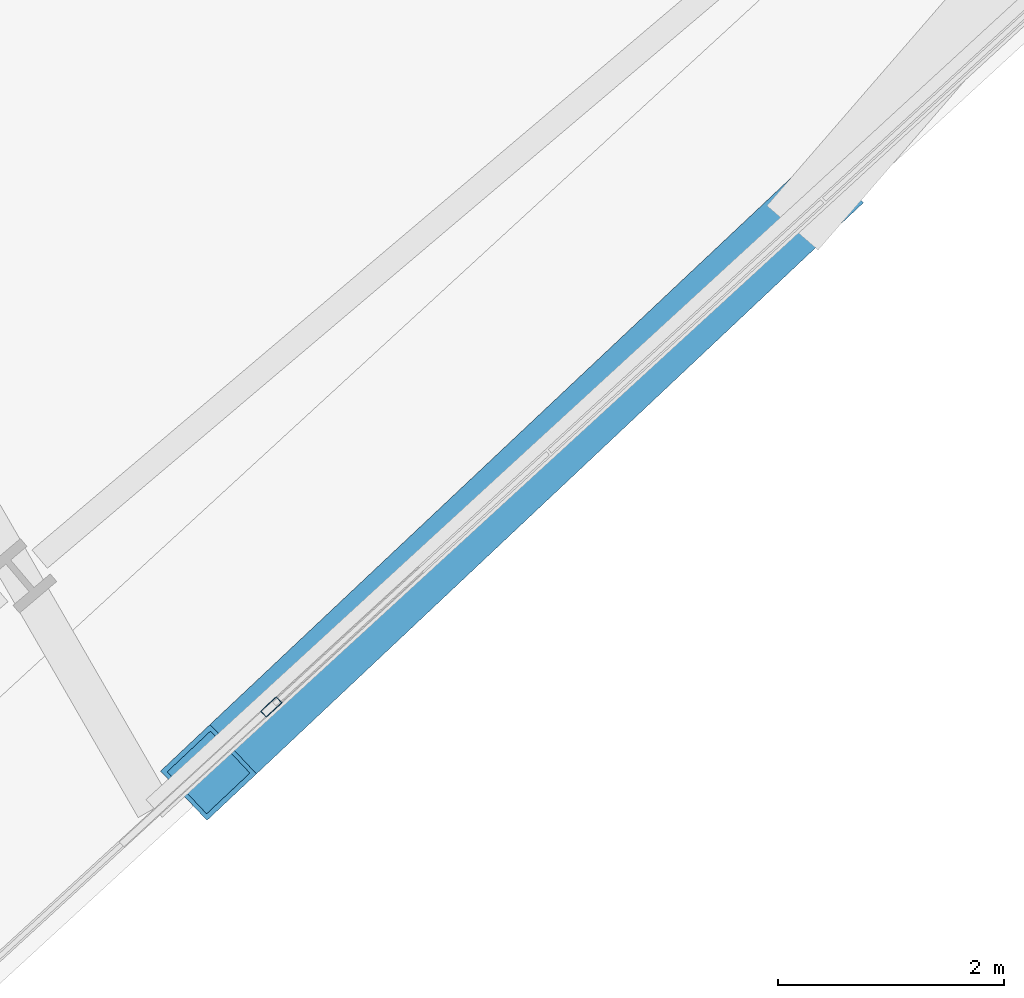
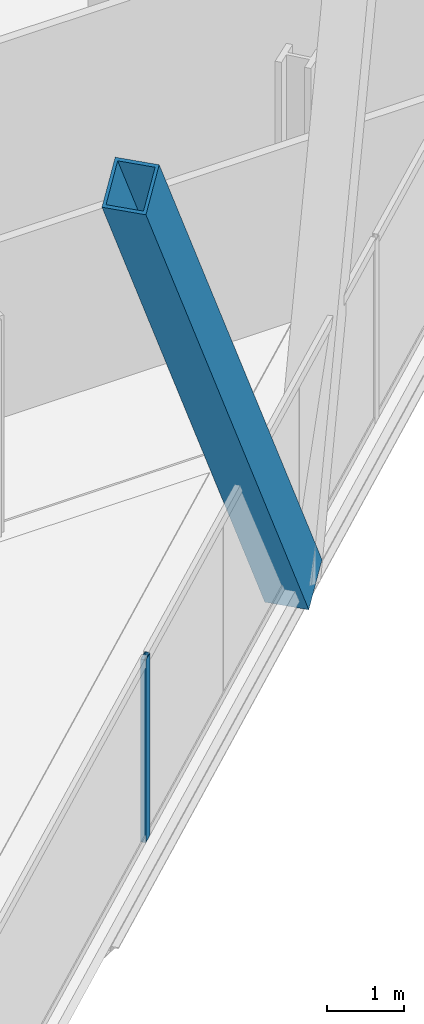
# One storey, part 8 of 32: 2 members, 1 element without a shape of its own.
"""IFC4 building model written with IfcOpenShell, lengths in metres."""

from ifc_helpers import new_model, si_unit, direction, frame, origin, origin_2d, place, context, subcontext, project, spatial, hollow_rectangle, extrude, material, material_profile, profile_set, type_object, element, aggregate, save


model = new_model("IFC4")

# Units and contexts
model_context = context("Model", 3, precision=1e-05, world=origin(), true_north=direction((0.0, 1.0)))
body_context = subcontext(model_context, "Body", "Model", "MODEL_VIEW")
ifc_project = project(units=[si_unit("LENGTHUNIT", "METRE"), si_unit("AREAUNIT", "SQUARE_METRE"), si_unit("VOLUMEUNIT", "CUBIC_METRE"), si_unit("PLANEANGLEUNIT", "RADIAN"), si_unit("MASSUNIT", "GRAM", prefix="KILO")], contexts=[model_context])

# Site, building, storey
site_placement = place(None, origin())
site = spatial("IfcSite", under=ifc_project, at=site_placement, CompositionType="ELEMENT")
building_placement = place(site_placement, origin())
building = spatial("IfcBuilding", under=site, at=building_placement, Name="Haldenkirk Collegiate Tower", CompositionType="ELEMENT")
storey_placement = place(building_placement, frame((0.0, 0.0, 170.699951171875)))
storey = spatial("IfcBuildingStorey", under=building, at=storey_placement, Name="L42", CompositionType="ELEMENT", Elevation=170.699951171875)

# Curtain wall, member
ifc_material_1 = material(Name="Anodised architectural bronze aluminium", Category="aluminium")
curtain_wall_type = type_object("IfcCurtainWallType", Name="CW-SYS2-CONCAVE", PredefinedType="USERDEFINED", material=ifc_material_1)
curtain_wall_placement = place(storey_placement, origin())
curtain_wall = element("IfcCurtainWall", 1, at=curtain_wall_placement, inside=storey, type_object=curtain_wall_type, Name="L42 South concave recessed bronze-anodised curtain wall", ObjectType="UNITISED CURTAIN WALL", PredefinedType="USERDEFINED")
ifc_material_profile_1 = material_profile(ifc_material_1, hollow_rectangle(XDim=0.074951171875, YDim=0.18994140625, WallThickness=0.0048828125, at=origin_2d()), Name="CW-MUL-02")
ifc_profile_set_1 = profile_set([ifc_material_profile_1], Name="Anodised architectural bronze aluminium")
member_type_1 = type_object("IfcMemberType", Name="CW-MUL-02", PredefinedType="MULLION", material=ifc_profile_set_1)
member_1_placement = place(storey_placement, frame((51.989501953125, 8.5810546875, 0.0), z_axis=(0.0, 0.0, 1.0), x_axis=(0.676232341046, -0.736688415087, 0.0)))
member_1 = element("IfcMember", 2, at=member_1_placement, type_object=member_type_1, Name="CW-02 mullion 3", PredefinedType="MULLION", context=body_context, shape_type="SweptSolid", body=[
    extrude(hollow_rectangle(XDim=0.074951171875, YDim=0.18994140625, WallThickness=0.0048828125, at=origin_2d()), origin(), (0.0, 0.0, 1.0), 2.9111328125),
])
aggregate(curtain_wall, [member_1])

# Member
ifc_material_2 = material(Name="Steel ASTM A572 Grade 50", Category="steel")
ifc_material_profile_2 = material_profile(ifc_material_2, hollow_rectangle(XDim=0.60009765625, YDim=0.719970703125, WallThickness=0.044921875, at=origin_2d()), Name="BOX720X600X45")
ifc_profile_set_2 = profile_set([ifc_material_profile_2], Name="Steel ASTM A572 Grade 50")
member_type_2 = type_object("IfcMemberType", Name="MBR-MEGABRACE-BOX720X600X45", PredefinedType="BRACE", material=ifc_profile_set_2)
member_2_placement = place(storey_placement, frame((56.81103515625, 13.061279296875, -0.300048828125), z_axis=(-0.399634868681, -0.376050097967, 0.835989411149), x_axis=(0.685290444462, -0.728269872183, 0.0)))
element("IfcMember", 3, at=member_2_placement, inside=storey, type_object=member_type_2, Name="Perimeter Mega Brace Z3 L42-L44 SL", PredefinedType="BRACE", context=body_context, shape_type="SweptSolid", body=[
    extrude(hollow_rectangle(XDim=0.60009765625, YDim=0.719970703125, WallThickness=0.044921875, at=origin_2d()), origin(), (0.0, 0.0, 1.0), 13.45703125),
])

save(model, "model.ifc")
